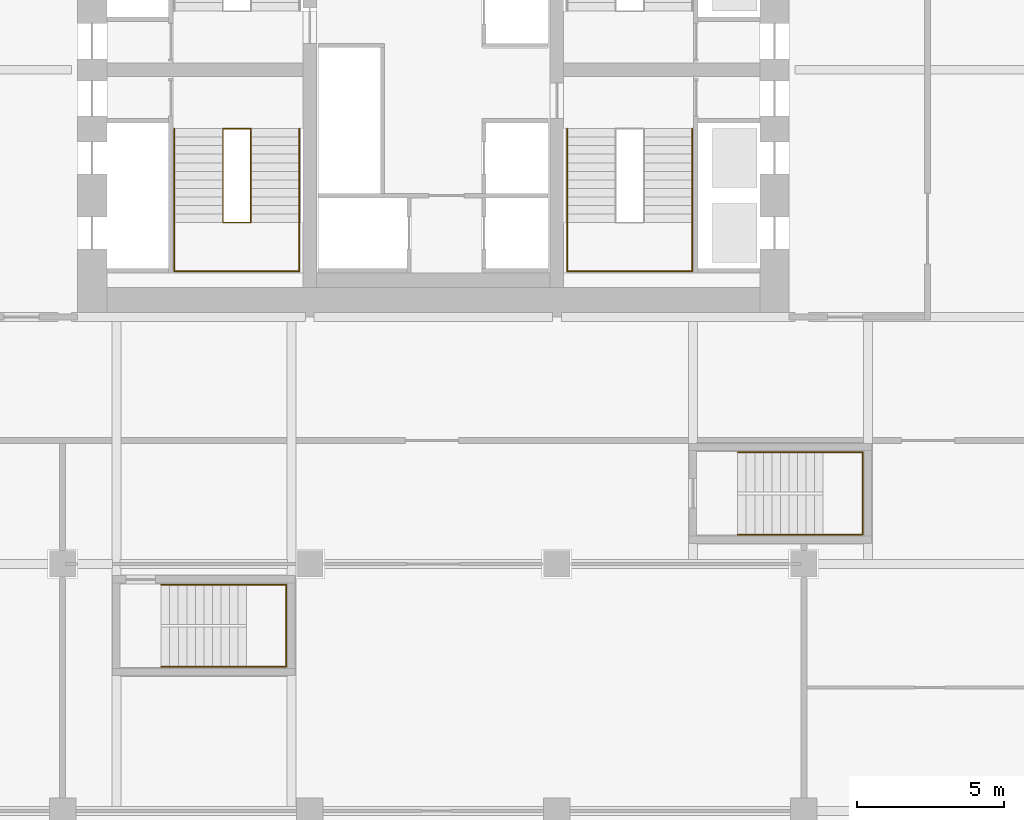
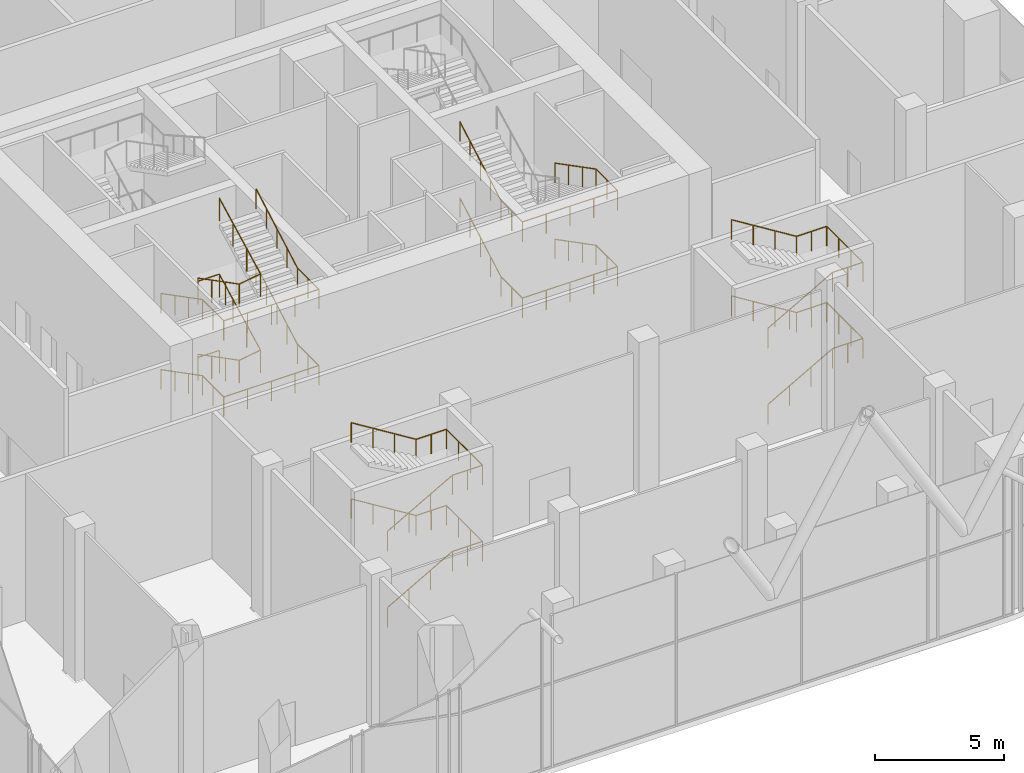
# One storey, part 31 of 34: 10 railings.
"""IFC4 building model written with IfcOpenShell, lengths in metres."""

from ifc_helpers import new_model, si_unit, direction, frame, origin, origin_2d, place, context, subcontext, project, spatial, circle, extrude, material, type_object, element, save


model = new_model("IFC4")

# Units and contexts
model_context = context("Model", 3, precision=1e-05, world=origin(), true_north=direction((0.0, 1.0)))
body_context = subcontext(model_context, "Body", "Model", "MODEL_VIEW")
ifc_project = project(units=[si_unit("LENGTHUNIT", "METRE"), si_unit("AREAUNIT", "SQUARE_METRE"), si_unit("VOLUMEUNIT", "CUBIC_METRE"), si_unit("PLANEANGLEUNIT", "RADIAN"), si_unit("MASSUNIT", "GRAM", prefix="KILO")], contexts=[model_context])

# Site, building, storey
site_placement = place(None, origin())
site = spatial("IfcSite", under=ifc_project, at=site_placement, CompositionType="ELEMENT")
building_placement = place(site_placement, origin())
building = spatial("IfcBuilding", under=site, at=building_placement, Name="Marenta Gate Hotel Tower", CompositionType="ELEMENT")
storey_placement = place(building_placement, frame((0.0, 0.0, 97.699951171875)))
storey = spatial("IfcBuildingStorey", under=building, at=storey_placement, Name="L21", CompositionType="ELEMENT", Elevation=97.699951171875)

# Railings
ifc_material_1 = material(Name="Stainless steel", Category="steel")
railing_type_1 = type_object("IfcRailingType", Name="Core stair handrail 950", PredefinedType="HANDRAIL", material=ifc_material_1)
railing_1_placement = place(storey_placement, frame((-8.800048828125, 6.39990234375, 0.150146484375)))
element("IfcRailing", 1, at=railing_1_placement, inside=storey, type_object=railing_type_1, Name="HR-950 L21-KR-ST1-1", PredefinedType="HANDRAIL", context=body_context, shape_type="SweptSolid", body=[
    extrude(circle(Radius=0.02392578125, at=origin_2d()), frame((0.0, 0.0, 0.92578125), z_axis=(0.0, -0.888225295554, 0.459408123936), x_axis=(1.0, 0.0, 0.0)), (0.0, 0.0, 1.0), 3.59130859375),
    extrude(circle(Radius=0.02392578125, at=origin_2d()), frame((0.0, -3.18994140625, 2.57568359375), z_axis=(0.0, -1.0, 0.0), x_axis=(1.0, 0.0, 0.0)), (0.0, 0.0, 1.0), 1.659912109375),
    extrude(circle(Radius=0.02392578125, at=origin_2d()), frame((0.0, -4.849853515625, 2.57568359375), z_axis=(1.0, 0.0, 0.0), x_axis=(0.0, 1.0, 0.0)), (0.0, 0.0, 1.0), 4.25),
    extrude(circle(Radius=0.02392578125, at=origin_2d()), frame((4.25, -4.849853515625, 2.57568359375), z_axis=(0.0, 1.0, 0.0), x_axis=(-1.0, 0.0, 0.0)), (0.0, 0.0, 1.0), 1.659912109375),
    extrude(circle(Radius=0.02392578125, at=origin_2d()), frame((4.25, -3.18994140625, 2.57568359375), z_axis=(0.0, 0.87090897868, 0.491444351738), x_axis=(-1.0, 0.0, 0.0)), (0.0, 0.0, 1.0), 3.662841796875),
    extrude(circle(Radius=0.02099609375, at=origin_2d()), origin(), (0.0, 0.0, 1.0), 0.90185546875),
    extrude(circle(Radius=0.02099609375, at=origin_2d()), frame((0.0, -1.063232421875, 0.550048828125)), (0.0, 0.0, 1.0), 0.90185546875),
    extrude(circle(Radius=0.02099609375, at=origin_2d()), frame((0.0, -2.126708984375, 1.099853515625)), (0.0, 0.0, 1.0), 0.90185546875),
    extrude(circle(Radius=0.02099609375, at=origin_2d()), frame((0.0, -3.18994140625, 1.64990234375)), (0.0, 0.0, 1.0), 0.90185546875),
    extrude(circle(Radius=0.02099609375, at=origin_2d()), frame((0.0, -4.02001953125, 1.64990234375)), (0.0, 0.0, 1.0), 0.90185546875),
    extrude(circle(Radius=0.02099609375, at=origin_2d()), frame((0.0, -4.849853515625, 1.64990234375)), (0.0, 0.0, 1.0), 0.90185546875),
    extrude(circle(Radius=0.02099609375, at=origin_2d()), frame((1.0625, -4.849853515625, 1.64990234375)), (0.0, 0.0, 1.0), 0.90185546875),
    extrude(circle(Radius=0.02099609375, at=origin_2d()), frame((2.125, -4.849853515625, 1.64990234375)), (0.0, 0.0, 1.0), 0.90185546875),
    extrude(circle(Radius=0.02099609375, at=origin_2d()), frame((3.1875, -4.849853515625, 1.64990234375)), (0.0, 0.0, 1.0), 0.90185546875),
    extrude(circle(Radius=0.02099609375, at=origin_2d()), frame((4.25, -4.849853515625, 1.64990234375)), (0.0, 0.0, 1.0), 0.90185546875),
    extrude(circle(Radius=0.02099609375, at=origin_2d()), frame((4.25, -4.02001953125, 1.64990234375)), (0.0, 0.0, 1.0), 0.90185546875),
    extrude(circle(Radius=0.02099609375, at=origin_2d()), frame((4.25, -3.18994140625, 1.64990234375)), (0.0, 0.0, 1.0), 0.90185546875),
    extrude(circle(Radius=0.02099609375, at=origin_2d()), frame((4.25, -2.392578125, 2.099853515625)), (0.0, 0.0, 1.0), 0.90185546875),
    extrude(circle(Radius=0.02099609375, at=origin_2d()), frame((4.25, -1.594970703125, 2.5498046875)), (0.0, 0.0, 1.0), 0.90185546875),
    extrude(circle(Radius=0.02099609375, at=origin_2d()), frame((4.25, -0.79736328125, 3.0)), (0.0, 0.0, 1.0), 0.90185546875),
    extrude(circle(Radius=0.02099609375, at=origin_2d()), frame((4.25, 0.0, 3.449951171875)), (0.0, 0.0, 1.0), 0.90185546875),
])
railing_2_placement = place(storey_placement, frame((-8.800048828125, 6.39990234375, 3.75)))
element("IfcRailing", 2, at=railing_2_placement, inside=storey, type_object=railing_type_1, Name="HR-950 L21-KR-ST1-3", PredefinedType="HANDRAIL", context=body_context, shape_type="SweptSolid", body=[
    extrude(circle(Radius=0.02392578125, at=origin_2d()), frame((0.0, 0.0, 0.92578125), z_axis=(0.0, -0.888197555067, 0.459461753765), x_axis=(1.0, 0.0, 0.0)), (0.0, 0.0, 1.0), 3.591552734375),
    extrude(circle(Radius=0.02392578125, at=origin_2d()), frame((0.0, -3.18994140625, 2.576171875), z_axis=(0.0, -1.0, 0.0), x_axis=(1.0, 0.0, 0.0)), (0.0, 0.0, 1.0), 1.659912109375),
    extrude(circle(Radius=0.02392578125, at=origin_2d()), frame((0.0, -4.849853515625, 2.576171875), z_axis=(1.0, 0.0, 0.0), x_axis=(0.0, 1.0, 0.0)), (0.0, 0.0, 1.0), 4.25),
    extrude(circle(Radius=0.02392578125, at=origin_2d()), frame((4.25, -4.849853515625, 2.576171875), z_axis=(0.0, 1.0, 0.0), x_axis=(-1.0, 0.0, 0.0)), (0.0, 0.0, 1.0), 1.659912109375),
    extrude(circle(Radius=0.02392578125, at=origin_2d()), frame((4.25, -3.18994140625, 2.576171875), z_axis=(0.0, 0.870937506535, 0.491393792911), x_axis=(-1.0, 0.0, 0.0)), (0.0, 0.0, 1.0), 3.66259765625),
    extrude(circle(Radius=0.02099609375, at=origin_2d()), origin(), (0.0, 0.0, 1.0), 0.90185546875),
    extrude(circle(Radius=0.02099609375, at=origin_2d()), frame((0.0, -1.063232421875, 0.550048828125)), (0.0, 0.0, 1.0), 0.90185546875),
    extrude(circle(Radius=0.02099609375, at=origin_2d()), frame((0.0, -2.126708984375, 1.10009765625)), (0.0, 0.0, 1.0), 0.90185546875),
    extrude(circle(Radius=0.02099609375, at=origin_2d()), frame((0.0, -3.18994140625, 1.650146484375)), (0.0, 0.0, 1.0), 0.90185546875),
    extrude(circle(Radius=0.02099609375, at=origin_2d()), frame((0.0, -4.02001953125, 1.650146484375)), (0.0, 0.0, 1.0), 0.90185546875),
    extrude(circle(Radius=0.02099609375, at=origin_2d()), frame((0.0, -4.849853515625, 1.650146484375)), (0.0, 0.0, 1.0), 0.90185546875),
    extrude(circle(Radius=0.02099609375, at=origin_2d()), frame((1.0625, -4.849853515625, 1.650146484375)), (0.0, 0.0, 1.0), 0.90185546875),
    extrude(circle(Radius=0.02099609375, at=origin_2d()), frame((2.125, -4.849853515625, 1.650146484375)), (0.0, 0.0, 1.0), 0.90185546875),
    extrude(circle(Radius=0.02099609375, at=origin_2d()), frame((3.1875, -4.849853515625, 1.650146484375)), (0.0, 0.0, 1.0), 0.90185546875),
    extrude(circle(Radius=0.02099609375, at=origin_2d()), frame((4.25, -4.849853515625, 1.650146484375)), (0.0, 0.0, 1.0), 0.90185546875),
    extrude(circle(Radius=0.02099609375, at=origin_2d()), frame((4.25, -4.02001953125, 1.650146484375)), (0.0, 0.0, 1.0), 0.90185546875),
    extrude(circle(Radius=0.02099609375, at=origin_2d()), frame((4.25, -3.18994140625, 1.650146484375)), (0.0, 0.0, 1.0), 0.90185546875),
    extrude(circle(Radius=0.02099609375, at=origin_2d()), frame((4.25, -2.392578125, 2.10009765625)), (0.0, 0.0, 1.0), 0.90185546875),
    extrude(circle(Radius=0.02099609375, at=origin_2d()), frame((4.25, -1.594970703125, 2.550048828125)), (0.0, 0.0, 1.0), 0.90185546875),
    extrude(circle(Radius=0.02099609375, at=origin_2d()), frame((4.25, -0.79736328125, 3.0)), (0.0, 0.0, 1.0), 0.90185546875),
    extrude(circle(Radius=0.02099609375, at=origin_2d()), frame((4.25, 0.0, 3.449951171875)), (0.0, 0.0, 1.0), 0.90185546875),
])
railing_3_placement = place(storey_placement, frame((8.800048828125, 6.39990234375, 0.150146484375)))
element("IfcRailing", 3, at=railing_3_placement, inside=storey, type_object=railing_type_1, Name="HR-950 L21-KR-ST3-1", PredefinedType="HANDRAIL", context=body_context, shape_type="SweptSolid", body=[
    extrude(circle(Radius=0.02392578125, at=origin_2d()), frame((0.0, 0.0, 0.92578125), z_axis=(0.0, -0.888225295554, 0.459408123936), x_axis=(1.0, 0.0, 0.0)), (0.0, 0.0, 1.0), 3.59130859375),
    extrude(circle(Radius=0.02392578125, at=origin_2d()), frame((0.0, -3.18994140625, 2.57568359375), z_axis=(0.0, -1.0, 0.0), x_axis=(1.0, 0.0, 0.0)), (0.0, 0.0, 1.0), 1.659912109375),
    extrude(circle(Radius=0.02392578125, at=origin_2d()), frame((0.0, -4.849853515625, 2.57568359375), z_axis=(-1.0, 0.0, 0.0), x_axis=(0.0, -1.0, 0.0)), (0.0, 0.0, 1.0), 4.25),
    extrude(circle(Radius=0.02392578125, at=origin_2d()), frame((-4.25, -4.849853515625, 2.57568359375), z_axis=(0.0, 1.0, 0.0), x_axis=(-1.0, 0.0, 0.0)), (0.0, 0.0, 1.0), 1.659912109375),
    extrude(circle(Radius=0.02392578125, at=origin_2d()), frame((-4.25, -3.18994140625, 2.57568359375), z_axis=(0.0, 0.87090897868, 0.491444351738), x_axis=(-1.0, 0.0, 0.0)), (0.0, 0.0, 1.0), 3.662841796875),
    extrude(circle(Radius=0.02099609375, at=origin_2d()), origin(), (0.0, 0.0, 1.0), 0.90185546875),
    extrude(circle(Radius=0.02099609375, at=origin_2d()), frame((0.0, -1.063232421875, 0.550048828125)), (0.0, 0.0, 1.0), 0.90185546875),
    extrude(circle(Radius=0.02099609375, at=origin_2d()), frame((0.0, -2.126708984375, 1.099853515625)), (0.0, 0.0, 1.0), 0.90185546875),
    extrude(circle(Radius=0.02099609375, at=origin_2d()), frame((0.0, -3.18994140625, 1.64990234375)), (0.0, 0.0, 1.0), 0.90185546875),
    extrude(circle(Radius=0.02099609375, at=origin_2d()), frame((0.0, -4.02001953125, 1.64990234375)), (0.0, 0.0, 1.0), 0.90185546875),
    extrude(circle(Radius=0.02099609375, at=origin_2d()), frame((0.0, -4.849853515625, 1.64990234375)), (0.0, 0.0, 1.0), 0.90185546875),
    extrude(circle(Radius=0.02099609375, at=origin_2d()), frame((-1.0625, -4.849853515625, 1.64990234375)), (0.0, 0.0, 1.0), 0.90185546875),
    extrude(circle(Radius=0.02099609375, at=origin_2d()), frame((-2.125, -4.849853515625, 1.64990234375)), (0.0, 0.0, 1.0), 0.90185546875),
    extrude(circle(Radius=0.02099609375, at=origin_2d()), frame((-3.1875, -4.849853515625, 1.64990234375)), (0.0, 0.0, 1.0), 0.90185546875),
    extrude(circle(Radius=0.02099609375, at=origin_2d()), frame((-4.25, -4.849853515625, 1.64990234375)), (0.0, 0.0, 1.0), 0.90185546875),
    extrude(circle(Radius=0.02099609375, at=origin_2d()), frame((-4.25, -4.02001953125, 1.64990234375)), (0.0, 0.0, 1.0), 0.90185546875),
    extrude(circle(Radius=0.02099609375, at=origin_2d()), frame((-4.25, -3.18994140625, 1.64990234375)), (0.0, 0.0, 1.0), 0.90185546875),
    extrude(circle(Radius=0.02099609375, at=origin_2d()), frame((-4.25, -2.392578125, 2.099853515625)), (0.0, 0.0, 1.0), 0.90185546875),
    extrude(circle(Radius=0.02099609375, at=origin_2d()), frame((-4.25, -1.594970703125, 2.5498046875)), (0.0, 0.0, 1.0), 0.90185546875),
    extrude(circle(Radius=0.02099609375, at=origin_2d()), frame((-4.25, -0.79736328125, 3.0)), (0.0, 0.0, 1.0), 0.90185546875),
    extrude(circle(Radius=0.02099609375, at=origin_2d()), frame((-4.25, 0.0, 3.449951171875)), (0.0, 0.0, 1.0), 0.90185546875),
])
railing_4_placement = place(storey_placement, frame((8.800048828125, 6.39990234375, 3.75)))
element("IfcRailing", 4, at=railing_4_placement, inside=storey, type_object=railing_type_1, Name="HR-950 L21-KR-ST3-3", PredefinedType="HANDRAIL", context=body_context, shape_type="SweptSolid", body=[
    extrude(circle(Radius=0.02392578125, at=origin_2d()), frame((0.0, 0.0, 0.92578125), z_axis=(0.0, -0.888197555067, 0.459461753765), x_axis=(1.0, 0.0, 0.0)), (0.0, 0.0, 1.0), 3.591552734375),
    extrude(circle(Radius=0.02392578125, at=origin_2d()), frame((0.0, -3.18994140625, 2.576171875), z_axis=(0.0, -1.0, 0.0), x_axis=(1.0, 0.0, 0.0)), (0.0, 0.0, 1.0), 1.659912109375),
    extrude(circle(Radius=0.02392578125, at=origin_2d()), frame((0.0, -4.849853515625, 2.576171875), z_axis=(-1.0, 0.0, 0.0), x_axis=(0.0, -1.0, 0.0)), (0.0, 0.0, 1.0), 4.25),
    extrude(circle(Radius=0.02392578125, at=origin_2d()), frame((-4.25, -4.849853515625, 2.576171875), z_axis=(0.0, 1.0, 0.0), x_axis=(-1.0, 0.0, 0.0)), (0.0, 0.0, 1.0), 1.659912109375),
    extrude(circle(Radius=0.02392578125, at=origin_2d()), frame((-4.25, -3.18994140625, 2.576171875), z_axis=(0.0, 0.870937506535, 0.491393792911), x_axis=(-1.0, 0.0, 0.0)), (0.0, 0.0, 1.0), 3.66259765625),
    extrude(circle(Radius=0.02099609375, at=origin_2d()), origin(), (0.0, 0.0, 1.0), 0.90185546875),
    extrude(circle(Radius=0.02099609375, at=origin_2d()), frame((0.0, -1.063232421875, 0.550048828125)), (0.0, 0.0, 1.0), 0.90185546875),
    extrude(circle(Radius=0.02099609375, at=origin_2d()), frame((0.0, -2.126708984375, 1.10009765625)), (0.0, 0.0, 1.0), 0.90185546875),
    extrude(circle(Radius=0.02099609375, at=origin_2d()), frame((0.0, -3.18994140625, 1.650146484375)), (0.0, 0.0, 1.0), 0.90185546875),
    extrude(circle(Radius=0.02099609375, at=origin_2d()), frame((0.0, -4.02001953125, 1.650146484375)), (0.0, 0.0, 1.0), 0.90185546875),
    extrude(circle(Radius=0.02099609375, at=origin_2d()), frame((0.0, -4.849853515625, 1.650146484375)), (0.0, 0.0, 1.0), 0.90185546875),
    extrude(circle(Radius=0.02099609375, at=origin_2d()), frame((-1.0625, -4.849853515625, 1.650146484375)), (0.0, 0.0, 1.0), 0.90185546875),
    extrude(circle(Radius=0.02099609375, at=origin_2d()), frame((-2.125, -4.849853515625, 1.650146484375)), (0.0, 0.0, 1.0), 0.90185546875),
    extrude(circle(Radius=0.02099609375, at=origin_2d()), frame((-3.1875, -4.849853515625, 1.650146484375)), (0.0, 0.0, 1.0), 0.90185546875),
    extrude(circle(Radius=0.02099609375, at=origin_2d()), frame((-4.25, -4.849853515625, 1.650146484375)), (0.0, 0.0, 1.0), 0.90185546875),
    extrude(circle(Radius=0.02099609375, at=origin_2d()), frame((-4.25, -4.02001953125, 1.650146484375)), (0.0, 0.0, 1.0), 0.90185546875),
    extrude(circle(Radius=0.02099609375, at=origin_2d()), frame((-4.25, -3.18994140625, 1.650146484375)), (0.0, 0.0, 1.0), 0.90185546875),
    extrude(circle(Radius=0.02099609375, at=origin_2d()), frame((-4.25, -2.392578125, 2.10009765625)), (0.0, 0.0, 1.0), 0.90185546875),
    extrude(circle(Radius=0.02099609375, at=origin_2d()), frame((-4.25, -1.594970703125, 2.550048828125)), (0.0, 0.0, 1.0), 0.90185546875),
    extrude(circle(Radius=0.02099609375, at=origin_2d()), frame((-4.25, -0.79736328125, 3.0)), (0.0, 0.0, 1.0), 0.90185546875),
    extrude(circle(Radius=0.02099609375, at=origin_2d()), frame((-4.25, 0.0, 3.449951171875)), (0.0, 0.0, 1.0), 0.90185546875),
])
railing_5_placement = place(storey_placement, frame((-9.25, -11.89990234375, 0.16357421875)))
element("IfcRailing", 5, at=railing_5_placement, inside=storey, type_object=railing_type_1, Name="HR-950 L21-RS-Z2-1-KR-1", PredefinedType="HANDRAIL", context=body_context, shape_type="SweptSolid", body=[
    extrude(circle(Radius=0.02392578125, at=origin_2d()), frame((0.0, 0.0, 0.92578125), z_axis=(0.870897200241, 0.0, 0.491465224214), x_axis=(0.0, 1.0, 0.0)), (0.0, 0.0, 1.0), 3.329833984375),
    extrude(circle(Radius=0.02392578125, at=origin_2d()), frame((2.89990234375, 0.0, 2.5625), z_axis=(1.0, 0.0, 0.0), x_axis=(0.0, 1.0, 0.0)), (0.0, 0.0, 1.0), 1.35009765625),
    extrude(circle(Radius=0.02392578125, at=origin_2d()), frame((4.25, 0.0, 2.5625), z_axis=(0.0, 1.0, 0.0), x_axis=(-1.0, 0.0, 0.0)), (0.0, 0.0, 1.0), 2.7998046875),
    extrude(circle(Radius=0.02392578125, at=origin_2d()), frame((4.25, 2.7998046875, 2.5625), z_axis=(-1.0, 0.0, 0.0), x_axis=(0.0, -1.0, 0.0)), (0.0, 0.0, 1.0), 1.35009765625),
    extrude(circle(Radius=0.02392578125, at=origin_2d()), frame((2.89990234375, 2.7998046875, 2.5625), z_axis=(-0.849625798611, 0.0, 0.527386008853), x_axis=(0.0, -1.0, 0.0)), (0.0, 0.0, 1.0), 3.4130859375),
    extrude(circle(Radius=0.02099609375, at=origin_2d()), origin(), (0.0, 0.0, 1.0), 0.90185546875),
    extrude(circle(Radius=0.02099609375, at=origin_2d()), frame((0.966552734375, 0.0, 0.54541015625)), (0.0, 0.0, 1.0), 0.90185546875),
    extrude(circle(Radius=0.02099609375, at=origin_2d()), frame((1.933349609375, 0.0, 1.091064453125)), (0.0, 0.0, 1.0), 0.90185546875),
    extrude(circle(Radius=0.02099609375, at=origin_2d()), frame((2.89990234375, 0.0, 1.636474609375)), (0.0, 0.0, 1.0), 0.90185546875),
    extrude(circle(Radius=0.02099609375, at=origin_2d()), frame((3.574951171875, 0.0, 1.636474609375)), (0.0, 0.0, 1.0), 0.90185546875),
    extrude(circle(Radius=0.02099609375, at=origin_2d()), frame((4.25, 0.0, 1.636474609375)), (0.0, 0.0, 1.0), 0.90185546875),
    extrude(circle(Radius=0.02099609375, at=origin_2d()), frame((4.25, 0.933349609375, 1.636474609375)), (0.0, 0.0, 1.0), 0.90185546875),
    extrude(circle(Radius=0.02099609375, at=origin_2d()), frame((4.25, 1.866455078125, 1.636474609375)), (0.0, 0.0, 1.0), 0.90185546875),
    extrude(circle(Radius=0.02099609375, at=origin_2d()), frame((4.25, 2.7998046875, 1.636474609375)), (0.0, 0.0, 1.0), 0.90185546875),
    extrude(circle(Radius=0.02099609375, at=origin_2d()), frame((3.574951171875, 2.7998046875, 1.636474609375)), (0.0, 0.0, 1.0), 0.90185546875),
    extrude(circle(Radius=0.02099609375, at=origin_2d()), frame((2.89990234375, 2.7998046875, 1.636474609375)), (0.0, 0.0, 1.0), 0.90185546875),
    extrude(circle(Radius=0.02099609375, at=origin_2d()), frame((1.933349609375, 2.7998046875, 2.236572265625)), (0.0, 0.0, 1.0), 0.90185546875),
    extrude(circle(Radius=0.02099609375, at=origin_2d()), frame((0.966552734375, 2.7998046875, 2.83642578125)), (0.0, 0.0, 1.0), 0.90185546875),
    extrude(circle(Radius=0.02099609375, at=origin_2d()), frame((0.0, 2.7998046875, 3.4365234375)), (0.0, 0.0, 1.0), 0.90185546875),
])
railing_6_placement = place(storey_placement, frame((-9.25, -11.89990234375, 3.763671875)))
element("IfcRailing", 6, at=railing_6_placement, inside=storey, type_object=railing_type_1, Name="HR-950 L21-RS-Z2-1-KR-2", PredefinedType="HANDRAIL", context=body_context, shape_type="SweptSolid", body=[
    extrude(circle(Radius=0.02392578125, at=origin_2d()), frame((0.0, 0.0, 0.92578125), z_axis=(0.870897200241, 0.0, 0.491465224214), x_axis=(0.0, 1.0, 0.0)), (0.0, 0.0, 1.0), 3.329833984375),
    extrude(circle(Radius=0.02392578125, at=origin_2d()), frame((2.89990234375, 0.0, 2.5625), z_axis=(1.0, 0.0, 0.0), x_axis=(0.0, 1.0, 0.0)), (0.0, 0.0, 1.0), 1.35009765625),
    extrude(circle(Radius=0.02392578125, at=origin_2d()), frame((4.25, 0.0, 2.5625), z_axis=(0.0, 1.0, 0.0), x_axis=(-1.0, 0.0, 0.0)), (0.0, 0.0, 1.0), 2.7998046875),
    extrude(circle(Radius=0.02392578125, at=origin_2d()), frame((4.25, 2.7998046875, 2.5625), z_axis=(-1.0, 0.0, 0.0), x_axis=(0.0, -1.0, 0.0)), (0.0, 0.0, 1.0), 1.35009765625),
    extrude(circle(Radius=0.02392578125, at=origin_2d()), frame((2.89990234375, 2.7998046875, 2.5625), z_axis=(-0.849657849183, 0.0, 0.527334371458), x_axis=(0.0, -1.0, 0.0)), (0.0, 0.0, 1.0), 3.4130859375),
    extrude(circle(Radius=0.02099609375, at=origin_2d()), origin(), (0.0, 0.0, 1.0), 0.90185546875),
    extrude(circle(Radius=0.02099609375, at=origin_2d()), frame((0.966552734375, 0.0, 0.54541015625)), (0.0, 0.0, 1.0), 0.90185546875),
    extrude(circle(Radius=0.02099609375, at=origin_2d()), frame((1.933349609375, 0.0, 1.091064453125)), (0.0, 0.0, 1.0), 0.90185546875),
    extrude(circle(Radius=0.02099609375, at=origin_2d()), frame((2.89990234375, 0.0, 1.636474609375)), (0.0, 0.0, 1.0), 0.90185546875),
    extrude(circle(Radius=0.02099609375, at=origin_2d()), frame((3.574951171875, 0.0, 1.636474609375)), (0.0, 0.0, 1.0), 0.90185546875),
    extrude(circle(Radius=0.02099609375, at=origin_2d()), frame((4.25, 0.0, 1.636474609375)), (0.0, 0.0, 1.0), 0.90185546875),
    extrude(circle(Radius=0.02099609375, at=origin_2d()), frame((4.25, 0.933349609375, 1.636474609375)), (0.0, 0.0, 1.0), 0.90185546875),
    extrude(circle(Radius=0.02099609375, at=origin_2d()), frame((4.25, 1.866455078125, 1.636474609375)), (0.0, 0.0, 1.0), 0.90185546875),
    extrude(circle(Radius=0.02099609375, at=origin_2d()), frame((4.25, 2.7998046875, 1.636474609375)), (0.0, 0.0, 1.0), 0.90185546875),
    extrude(circle(Radius=0.02099609375, at=origin_2d()), frame((3.574951171875, 2.7998046875, 1.636474609375)), (0.0, 0.0, 1.0), 0.90185546875),
    extrude(circle(Radius=0.02099609375, at=origin_2d()), frame((2.89990234375, 2.7998046875, 1.636474609375)), (0.0, 0.0, 1.0), 0.90185546875),
    extrude(circle(Radius=0.02099609375, at=origin_2d()), frame((1.933349609375, 2.7998046875, 2.236328125)), (0.0, 0.0, 1.0), 0.90185546875),
    extrude(circle(Radius=0.02099609375, at=origin_2d()), frame((0.966552734375, 2.7998046875, 2.83642578125)), (0.0, 0.0, 1.0), 0.90185546875),
    extrude(circle(Radius=0.02099609375, at=origin_2d()), frame((0.0, 2.7998046875, 3.436279296875)), (0.0, 0.0, 1.0), 0.90185546875),
])
railing_7_placement = place(storey_placement, frame((10.35009765625, -7.39990234375, 0.16357421875)))
element("IfcRailing", 7, at=railing_7_placement, inside=storey, type_object=railing_type_1, Name="HR-950 L21-RS-Z2-2-KR-1", PredefinedType="HANDRAIL", context=body_context, shape_type="SweptSolid", body=[
    extrude(circle(Radius=0.02392578125, at=origin_2d()), frame((0.0, 0.0, 0.92578125), z_axis=(0.870897200241, 0.0, 0.491465224214), x_axis=(0.0, 1.0, 0.0)), (0.0, 0.0, 1.0), 3.329833984375),
    extrude(circle(Radius=0.02392578125, at=origin_2d()), frame((2.89990234375, 0.0, 2.5625), z_axis=(1.0, 0.0, 0.0), x_axis=(0.0, 1.0, 0.0)), (0.0, 0.0, 1.0), 1.35009765625),
    extrude(circle(Radius=0.02392578125, at=origin_2d()), frame((4.25, 0.0, 2.5625), z_axis=(0.0, 1.0, 0.0), x_axis=(-1.0, 0.0, 0.0)), (0.0, 0.0, 1.0), 2.7998046875),
    extrude(circle(Radius=0.02392578125, at=origin_2d()), frame((4.25, 2.7998046875, 2.5625), z_axis=(-1.0, 0.0, 0.0), x_axis=(0.0, -1.0, 0.0)), (0.0, 0.0, 1.0), 1.35009765625),
    extrude(circle(Radius=0.02392578125, at=origin_2d()), frame((2.89990234375, 2.7998046875, 2.5625), z_axis=(-0.849625798611, 0.0, 0.527386008853), x_axis=(0.0, -1.0, 0.0)), (0.0, 0.0, 1.0), 3.4130859375),
    extrude(circle(Radius=0.02099609375, at=origin_2d()), origin(), (0.0, 0.0, 1.0), 0.90185546875),
    extrude(circle(Radius=0.02099609375, at=origin_2d()), frame((0.966552734375, 0.0, 0.54541015625)), (0.0, 0.0, 1.0), 0.90185546875),
    extrude(circle(Radius=0.02099609375, at=origin_2d()), frame((1.933349609375, 0.0, 1.091064453125)), (0.0, 0.0, 1.0), 0.90185546875),
    extrude(circle(Radius=0.02099609375, at=origin_2d()), frame((2.89990234375, 0.0, 1.636474609375)), (0.0, 0.0, 1.0), 0.90185546875),
    extrude(circle(Radius=0.02099609375, at=origin_2d()), frame((3.574951171875, 0.0, 1.636474609375)), (0.0, 0.0, 1.0), 0.90185546875),
    extrude(circle(Radius=0.02099609375, at=origin_2d()), frame((4.25, 0.0, 1.636474609375)), (0.0, 0.0, 1.0), 0.90185546875),
    extrude(circle(Radius=0.02099609375, at=origin_2d()), frame((4.25, 0.933349609375, 1.636474609375)), (0.0, 0.0, 1.0), 0.90185546875),
    extrude(circle(Radius=0.02099609375, at=origin_2d()), frame((4.25, 1.866455078125, 1.636474609375)), (0.0, 0.0, 1.0), 0.90185546875),
    extrude(circle(Radius=0.02099609375, at=origin_2d()), frame((4.25, 2.7998046875, 1.636474609375)), (0.0, 0.0, 1.0), 0.90185546875),
    extrude(circle(Radius=0.02099609375, at=origin_2d()), frame((3.574951171875, 2.7998046875, 1.636474609375)), (0.0, 0.0, 1.0), 0.90185546875),
    extrude(circle(Radius=0.02099609375, at=origin_2d()), frame((2.89990234375, 2.7998046875, 1.636474609375)), (0.0, 0.0, 1.0), 0.90185546875),
    extrude(circle(Radius=0.02099609375, at=origin_2d()), frame((1.933349609375, 2.7998046875, 2.236572265625)), (0.0, 0.0, 1.0), 0.90185546875),
    extrude(circle(Radius=0.02099609375, at=origin_2d()), frame((0.966552734375, 2.7998046875, 2.83642578125)), (0.0, 0.0, 1.0), 0.90185546875),
    extrude(circle(Radius=0.02099609375, at=origin_2d()), frame((0.0, 2.7998046875, 3.4365234375)), (0.0, 0.0, 1.0), 0.90185546875),
])
railing_8_placement = place(storey_placement, frame((10.35009765625, -7.39990234375, 3.763671875)))
element("IfcRailing", 8, at=railing_8_placement, inside=storey, type_object=railing_type_1, Name="HR-950 L21-RS-Z2-2-KR-2", PredefinedType="HANDRAIL", context=body_context, shape_type="SweptSolid", body=[
    extrude(circle(Radius=0.02392578125, at=origin_2d()), frame((0.0, 0.0, 0.92578125), z_axis=(0.870897200241, 0.0, 0.491465224214), x_axis=(0.0, 1.0, 0.0)), (0.0, 0.0, 1.0), 3.329833984375),
    extrude(circle(Radius=0.02392578125, at=origin_2d()), frame((2.89990234375, 0.0, 2.5625), z_axis=(1.0, 0.0, 0.0), x_axis=(0.0, 1.0, 0.0)), (0.0, 0.0, 1.0), 1.35009765625),
    extrude(circle(Radius=0.02392578125, at=origin_2d()), frame((4.25, 0.0, 2.5625), z_axis=(0.0, 1.0, 0.0), x_axis=(-1.0, 0.0, 0.0)), (0.0, 0.0, 1.0), 2.7998046875),
    extrude(circle(Radius=0.02392578125, at=origin_2d()), frame((4.25, 2.7998046875, 2.5625), z_axis=(-1.0, 0.0, 0.0), x_axis=(0.0, -1.0, 0.0)), (0.0, 0.0, 1.0), 1.35009765625),
    extrude(circle(Radius=0.02392578125, at=origin_2d()), frame((2.89990234375, 2.7998046875, 2.5625), z_axis=(-0.849657849183, 0.0, 0.527334371458), x_axis=(0.0, -1.0, 0.0)), (0.0, 0.0, 1.0), 3.4130859375),
    extrude(circle(Radius=0.02099609375, at=origin_2d()), origin(), (0.0, 0.0, 1.0), 0.90185546875),
    extrude(circle(Radius=0.02099609375, at=origin_2d()), frame((0.966552734375, 0.0, 0.54541015625)), (0.0, 0.0, 1.0), 0.90185546875),
    extrude(circle(Radius=0.02099609375, at=origin_2d()), frame((1.933349609375, 0.0, 1.091064453125)), (0.0, 0.0, 1.0), 0.90185546875),
    extrude(circle(Radius=0.02099609375, at=origin_2d()), frame((2.89990234375, 0.0, 1.636474609375)), (0.0, 0.0, 1.0), 0.90185546875),
    extrude(circle(Radius=0.02099609375, at=origin_2d()), frame((3.574951171875, 0.0, 1.636474609375)), (0.0, 0.0, 1.0), 0.90185546875),
    extrude(circle(Radius=0.02099609375, at=origin_2d()), frame((4.25, 0.0, 1.636474609375)), (0.0, 0.0, 1.0), 0.90185546875),
    extrude(circle(Radius=0.02099609375, at=origin_2d()), frame((4.25, 0.933349609375, 1.636474609375)), (0.0, 0.0, 1.0), 0.90185546875),
    extrude(circle(Radius=0.02099609375, at=origin_2d()), frame((4.25, 1.866455078125, 1.636474609375)), (0.0, 0.0, 1.0), 0.90185546875),
    extrude(circle(Radius=0.02099609375, at=origin_2d()), frame((4.25, 2.7998046875, 1.636474609375)), (0.0, 0.0, 1.0), 0.90185546875),
    extrude(circle(Radius=0.02099609375, at=origin_2d()), frame((3.574951171875, 2.7998046875, 1.636474609375)), (0.0, 0.0, 1.0), 0.90185546875),
    extrude(circle(Radius=0.02099609375, at=origin_2d()), frame((2.89990234375, 2.7998046875, 1.636474609375)), (0.0, 0.0, 1.0), 0.90185546875),
    extrude(circle(Radius=0.02099609375, at=origin_2d()), frame((1.933349609375, 2.7998046875, 2.236328125)), (0.0, 0.0, 1.0), 0.90185546875),
    extrude(circle(Radius=0.02099609375, at=origin_2d()), frame((0.966552734375, 2.7998046875, 2.83642578125)), (0.0, 0.0, 1.0), 0.90185546875),
    extrude(circle(Radius=0.02099609375, at=origin_2d()), frame((0.0, 2.7998046875, 3.436279296875)), (0.0, 0.0, 1.0), 0.90185546875),
])
ifc_material_2 = material(Name="Stainless steel", Category="steel")
railing_type_2 = type_object("IfcRailingType", Name="Core stair well guard 1100", PredefinedType="GUARDRAIL", material=ifc_material_2)
railing_9_placement = place(storey_placement, frame((-6.199951171875, 6.39990234375, 0.0)))
element("IfcRailing", 9, at=railing_9_placement, inside=storey, type_object=railing_type_2, Name="GR-1100 L21-KR-ST1-2", PredefinedType="GUARDRAIL", context=body_context, shape_type="SweptSolid", body=[
    extrude(circle(Radius=0.02392578125, at=origin_2d()), frame((0.0, 0.0, 1.076171875), z_axis=(-1.0, 0.0, 0.0), x_axis=(0.0, -1.0, 0.0)), (0.0, 0.0, 1.0), 0.949951171875),
    extrude(circle(Radius=0.02392578125, at=origin_2d()), frame((-0.949951171875, 0.0, 1.076171875), z_axis=(0.0, 0.0, 1.0), x_axis=(1.0, 0.0, 0.0)), (0.0, 0.0, 1.0), 0.150146484375),
    extrude(circle(Radius=0.02392578125, at=origin_2d()), frame((-0.949951171875, 0.0, 1.22607421875), z_axis=(0.0, -0.888225295554, 0.459408123936), x_axis=(1.0, 0.0, 0.0)), (0.0, 0.0, 1.0), 3.59130859375),
    extrude(circle(Radius=0.02392578125, at=origin_2d()), frame((-0.949951171875, -3.18994140625, 2.8759765625), z_axis=(0.987777369502, 0.0, 0.15587131968), x_axis=(0.0, 1.0, 0.0)), (0.0, 0.0, 1.0), 0.961669921875),
    extrude(circle(Radius=0.02392578125, at=origin_2d()), frame((0.0, -3.18994140625, 3.02587890625), z_axis=(0.0, 0.888197555067, 0.459461753765), x_axis=(-1.0, 0.0, 0.0)), (0.0, 0.0, 1.0), 3.591552734375),
    extrude(circle(Radius=0.02099609375, at=origin_2d()), origin(), (0.0, 0.0, 1.0), 1.052001953125),
    extrude(circle(Radius=0.02099609375, at=origin_2d()), frame((-0.949951171875, 0.0, 0.0)), (0.0, 0.0, 1.0), 1.052001953125),
    extrude(circle(Radius=0.02099609375, at=origin_2d()), frame((-0.949951171875, 0.0, 0.150146484375)), (0.0, 0.0, 1.0), 1.052001953125),
    extrude(circle(Radius=0.02099609375, at=origin_2d()), frame((-0.949951171875, -1.063232421875, 0.7001953125)), (0.0, 0.0, 1.0), 1.052001953125),
    extrude(circle(Radius=0.02099609375, at=origin_2d()), frame((-0.949951171875, -2.126708984375, 1.25)), (0.0, 0.0, 1.0), 1.052001953125),
    extrude(circle(Radius=0.02099609375, at=origin_2d()), frame((-0.949951171875, -3.18994140625, 1.800048828125)), (0.0, 0.0, 1.0), 1.052001953125),
    extrude(circle(Radius=0.02099609375, at=origin_2d()), frame((0.0, -3.18994140625, 1.949951171875)), (0.0, 0.0, 1.0), 1.052001953125),
    extrude(circle(Radius=0.02099609375, at=origin_2d()), frame((0.0, -2.126708984375, 2.5)), (0.0, 0.0, 1.0), 1.052001953125),
    extrude(circle(Radius=0.02099609375, at=origin_2d()), frame((0.0, -1.063232421875, 3.050048828125)), (0.0, 0.0, 1.0), 1.052001953125),
    extrude(circle(Radius=0.02099609375, at=origin_2d()), frame((0.0, 0.0, 3.60009765625)), (0.0, 0.0, 1.0), 1.052001953125),
])
railing_10_placement = place(storey_placement, frame((-6.199951171875, 6.39990234375, 3.60009765625)))
element("IfcRailing", 10, at=railing_10_placement, inside=storey, type_object=railing_type_2, Name="GR-1100 L21-KR-ST1-4", PredefinedType="GUARDRAIL", context=body_context, shape_type="SweptSolid", body=[
    extrude(circle(Radius=0.02392578125, at=origin_2d()), frame((0.0, 0.0, 1.076171875), z_axis=(-1.0, 0.0, 0.0), x_axis=(0.0, -1.0, 0.0)), (0.0, 0.0, 1.0), 0.949951171875),
    extrude(circle(Radius=0.02392578125, at=origin_2d()), frame((-0.949951171875, 0.0, 1.076171875), z_axis=(0.0, 0.0, 1.0), x_axis=(1.0, 0.0, 0.0)), (0.0, 0.0, 1.0), 0.14990234375),
    extrude(circle(Radius=0.02392578125, at=origin_2d()), frame((-0.949951171875, 0.0, 1.22607421875), z_axis=(0.0, -0.888197555067, 0.459461753765), x_axis=(1.0, 0.0, 0.0)), (0.0, 0.0, 1.0), 3.591552734375),
    extrude(circle(Radius=0.02392578125, at=origin_2d()), frame((-0.949951171875, -3.18994140625, 2.8759765625), z_axis=(0.987777369502, 0.0, 0.15587131968), x_axis=(0.0, 1.0, 0.0)), (0.0, 0.0, 1.0), 0.961669921875),
    extrude(circle(Radius=0.02392578125, at=origin_2d()), frame((0.0, -3.18994140625, 3.02587890625), z_axis=(0.0, 0.888225295554, 0.459408123936), x_axis=(-1.0, 0.0, 0.0)), (0.0, 0.0, 1.0), 3.59130859375),
    extrude(circle(Radius=0.02099609375, at=origin_2d()), origin(), (0.0, 0.0, 1.0), 1.052001953125),
    extrude(circle(Radius=0.02099609375, at=origin_2d()), frame((-0.949951171875, 0.0, 0.0)), (0.0, 0.0, 1.0), 1.052001953125),
    extrude(circle(Radius=0.02099609375, at=origin_2d()), frame((-0.949951171875, 0.0, 0.14990234375)), (0.0, 0.0, 1.0), 1.052001953125),
    extrude(circle(Radius=0.02099609375, at=origin_2d()), frame((-0.949951171875, -1.063232421875, 0.699951171875)), (0.0, 0.0, 1.0), 1.052001953125),
    extrude(circle(Radius=0.02099609375, at=origin_2d()), frame((-0.949951171875, -2.126708984375, 1.25)), (0.0, 0.0, 1.0), 1.052001953125),
    extrude(circle(Radius=0.02099609375, at=origin_2d()), frame((-0.949951171875, -3.18994140625, 1.800048828125)), (0.0, 0.0, 1.0), 1.052001953125),
    extrude(circle(Radius=0.02099609375, at=origin_2d()), frame((0.0, -3.18994140625, 1.949951171875)), (0.0, 0.0, 1.0), 1.052001953125),
    extrude(circle(Radius=0.02099609375, at=origin_2d()), frame((0.0, -2.126708984375, 2.5)), (0.0, 0.0, 1.0), 1.052001953125),
    extrude(circle(Radius=0.02099609375, at=origin_2d()), frame((0.0, -1.063232421875, 3.0498046875)), (0.0, 0.0, 1.0), 1.052001953125),
    extrude(circle(Radius=0.02099609375, at=origin_2d()), frame((0.0, 0.0, 3.599853515625)), (0.0, 0.0, 1.0), 1.052001953125),
])

save(model, "model.ifc")
